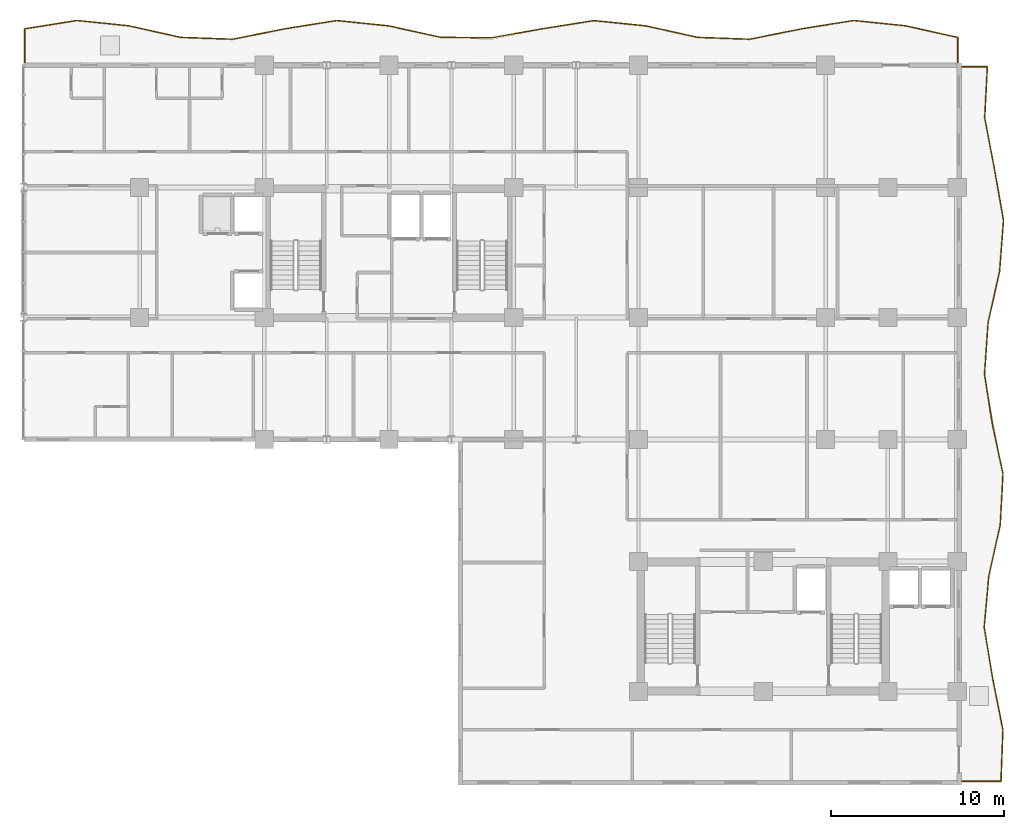
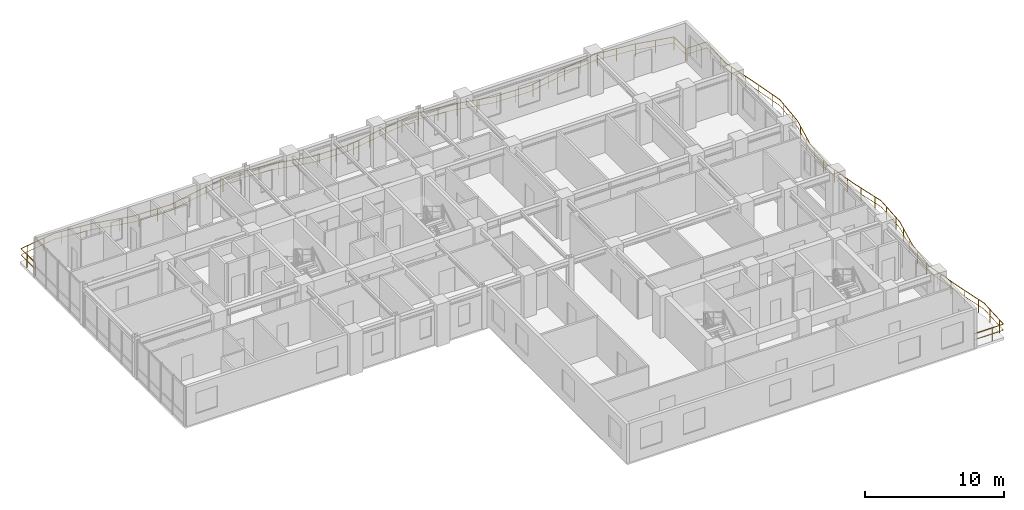
# One storey, part 19 of 20: 2 railings.
"""IFC4 building model written with IfcOpenShell, lengths in metres."""

from ifc_helpers import new_model, si_unit, direction, frame, origin, origin_2d, place, context, subcontext, project, spatial, rectangle, extrude, material, type_object, element, save


model = new_model("IFC4")

# Units and contexts
model_context = context("Model", 3, precision=1e-05, world=origin(), true_north=direction((0.0, 1.0)))
body_context = subcontext(model_context, "Body", "Model", "MODEL_VIEW")
ifc_project = project(units=[si_unit("LENGTHUNIT", "METRE"), si_unit("AREAUNIT", "SQUARE_METRE"), si_unit("VOLUMEUNIT", "CUBIC_METRE"), si_unit("PLANEANGLEUNIT", "RADIAN"), si_unit("MASSUNIT", "GRAM", prefix="KILO")], contexts=[model_context])

# Site, building, storey
site_placement = place(None, origin())
site = spatial("IfcSite", under=ifc_project, at=site_placement, CompositionType="ELEMENT")
building_placement = place(site_placement, origin())
building = spatial("IfcBuilding", under=site, at=building_placement, Name="Kaliganga Portal Commons", CompositionType="ELEMENT")
storey_placement = place(building_placement, frame((0.0, 0.0, 155.0)))
storey = spatial("IfcBuildingStorey", under=building, at=storey_placement, Name="L39", CompositionType="ELEMENT", Elevation=155.0)

# Railings
ifc_material = material(Name="Laminated Safety Glass and Stainless Steel 316", Category="steel")
railing_type = type_object("IfcRailingType", Name="RLG-BAL-1150", PredefinedType="BALUSTRADE", material=ifc_material)
railing_1_placement = place(storey_placement, frame((54.420166015625, 43.20556640625, 0.0)))
element("IfcRailing", 1, at=railing_1_placement, inside=storey, type_object=railing_type, Name="Balcony Guardrail L39 balc_north", PredefinedType="BALUSTRADE", context=body_context, shape_type="SweptSolid", body=[
    extrude(rectangle(XDim=0.048095703125, YDim=0.048095703125, at=origin_2d()), frame((0.0, 0.0, 1.1259765625), z_axis=(-0.000151883352, 0.999999988466, 0.0), x_axis=(-0.999999988466, -0.000151883352, 0.0)), (0.0, 0.0, 1.0), 1.607421875),
    extrude(rectangle(XDim=0.028076171875, YDim=0.028076171875, at=origin_2d()), frame((0.0, 0.0, 0.597900390625), z_axis=(-0.000151883352, 0.999999988466, 0.0), x_axis=(-0.999999988466, -0.000151883352, 0.0)), (0.0, 0.0, 1.0), 1.607421875),
    extrude(rectangle(XDim=0.048095703125, YDim=0.048095703125, at=origin_2d()), frame((-0.000244140625, 1.607421875, 1.1259765625), z_axis=(-0.975979173435, 0.217863840554, 0.0), x_axis=(-0.217863840554, -0.975979173435, 0.0)), (0.0, 0.0, 1.0), 3.07373046875),
    extrude(rectangle(XDim=0.028076171875, YDim=0.028076171875, at=origin_2d()), frame((-0.000244140625, 1.607421875, 0.597900390625), z_axis=(-0.975979173435, 0.217863840554, 0.0), x_axis=(-0.217863840554, -0.975979173435, 0.0)), (0.0, 0.0, 1.0), 3.07373046875),
    extrude(rectangle(XDim=0.048095703125, YDim=0.048095703125, at=origin_2d()), frame((-3.000244140625, 2.277099609375, 1.1259765625), z_axis=(-0.99479217812, 0.101924100932, 0.0), x_axis=(-0.101924100932, -0.99479217812, 0.0)), (0.0, 0.0, 1.0), 3.015625),
    extrude(rectangle(XDim=0.028076171875, YDim=0.028076171875, at=origin_2d()), frame((-3.000244140625, 2.277099609375, 0.597900390625), z_axis=(-0.99479217812, 0.101924100932, 0.0), x_axis=(-0.101924100932, -0.99479217812, 0.0)), (0.0, 0.0, 1.0), 3.015625),
    extrude(rectangle(XDim=0.048095703125, YDim=0.048095703125, at=origin_2d()), frame((-6.000244140625, 2.58447265625, 1.1259765625), z_axis=(-0.98747921595, -0.157749161858, 0.0), x_axis=(0.157749161858, -0.98747921595, 0.0)), (0.0, 0.0, 1.0), 3.0380859375),
    extrude(rectangle(XDim=0.028076171875, YDim=0.028076171875, at=origin_2d()), frame((-6.000244140625, 2.58447265625, 0.597900390625), z_axis=(-0.98747921595, -0.157749161858, 0.0), x_axis=(0.157749161858, -0.98747921595, 0.0)), (0.0, 0.0, 1.0), 3.0380859375),
    extrude(rectangle(XDim=0.048095703125, YDim=0.048095703125, at=origin_2d()), frame((-9.000244140625, 2.105224609375, 1.1259765625), z_axis=(-0.980405371108, -0.196990629986, 0.0), x_axis=(0.196990629986, -0.980405371108, 0.0)), (0.0, 0.0, 1.0), 3.06005859375),
    extrude(rectangle(XDim=0.028076171875, YDim=0.028076171875, at=origin_2d()), frame((-9.000244140625, 2.105224609375, 0.597900390625), z_axis=(-0.980405371108, -0.196990629986, 0.0), x_axis=(0.196990629986, -0.980405371108, 0.0)), (0.0, 0.0, 1.0), 3.06005859375),
    extrude(rectangle(XDim=0.048095703125, YDim=0.048095703125, at=origin_2d()), frame((-12.000244140625, 1.50244140625, 1.1259765625), z_axis=(-0.999376866679, 0.035297001964, 0.0), x_axis=(-0.035297001964, -0.999376866679, 0.0)), (0.0, 0.0, 1.0), 3.001953125),
    extrude(rectangle(XDim=0.028076171875, YDim=0.028076171875, at=origin_2d()), frame((-12.000244140625, 1.50244140625, 0.597900390625), z_axis=(-0.999376866679, 0.035297001964, 0.0), x_axis=(-0.035297001964, -0.999376866679, 0.0)), (0.0, 0.0, 1.0), 3.001953125),
    extrude(rectangle(XDim=0.048095703125, YDim=0.048095703125, at=origin_2d()), frame((-15.000244140625, 1.6083984375, 1.1259765625), z_axis=(-0.97621135664, 0.216821094838, 0.0), x_axis=(-0.216821094838, -0.97621135664, 0.0)), (0.0, 0.0, 1.0), 3.07275390625),
    extrude(rectangle(XDim=0.028076171875, YDim=0.028076171875, at=origin_2d()), frame((-15.000244140625, 1.6083984375, 0.597900390625), z_axis=(-0.97621135664, 0.216821094838, 0.0), x_axis=(-0.216821094838, -0.97621135664, 0.0)), (0.0, 0.0, 1.0), 3.07275390625),
    extrude(rectangle(XDim=0.048095703125, YDim=0.048095703125, at=origin_2d()), frame((-18.0, 2.274658203125, 1.1259765625), z_axis=(-0.994937270813, 0.10049789623, 0.0), x_axis=(-0.10049789623, -0.994937270813, 0.0)), (0.0, 0.0, 1.0), 3.014892578125),
    extrude(rectangle(XDim=0.028076171875, YDim=0.028076171875, at=origin_2d()), frame((-18.0, 2.274658203125, 0.597900390625), z_axis=(-0.994937270813, 0.10049789623, 0.0), x_axis=(-0.10049789623, -0.994937270813, 0.0)), (0.0, 0.0, 1.0), 3.014892578125),
    extrude(rectangle(XDim=0.048095703125, YDim=0.048095703125, at=origin_2d()), frame((-20.99951171875, 2.57763671875, 1.1259765625), z_axis=(-0.987543722899, -0.157344829476, 0.0), x_axis=(0.157344829476, -0.987543722899, 0.0)), (0.0, 0.0, 1.0), 3.0380859375),
    extrude(rectangle(XDim=0.028076171875, YDim=0.028076171875, at=origin_2d()), frame((-20.99951171875, 2.57763671875, 0.597900390625), z_axis=(-0.987543722899, -0.157344829476, 0.0), x_axis=(0.157344829476, -0.987543722899, 0.0)), (0.0, 0.0, 1.0), 3.0380859375),
    extrude(rectangle(XDim=0.048095703125, YDim=0.048095703125, at=origin_2d()), frame((-23.999755859375, 2.099609375, 1.1259765625), z_axis=(-0.984556518379, -0.175067021785, 0.0), x_axis=(0.175067021785, -0.984556518379, 0.0)), (0.0, 0.0, 1.0), 2.96630859375),
    extrude(rectangle(XDim=0.028076171875, YDim=0.028076171875, at=origin_2d()), frame((-23.999755859375, 2.099609375, 0.597900390625), z_axis=(-0.984556518379, -0.175067021785, 0.0), x_axis=(0.175067021785, -0.984556518379, 0.0)), (0.0, 0.0, 1.0), 2.96630859375),
    extrude(rectangle(XDim=0.048095703125, YDim=0.048095703125, at=origin_2d()), frame((-26.920166015625, 1.580322265625, 1.1259765625), z_axis=(-0.99993632214, 0.011285019519, 0.0), x_axis=(-0.011285019519, -0.99993632214, 0.0)), (0.0, 0.0, 1.0), 2.920654296875),
    extrude(rectangle(XDim=0.028076171875, YDim=0.028076171875, at=origin_2d()), frame((-26.920166015625, 1.580322265625, 0.597900390625), z_axis=(-0.99993632214, 0.011285019519, 0.0), x_axis=(-0.011285019519, -0.99993632214, 0.0)), (0.0, 0.0, 1.0), 2.920654296875),
    extrude(rectangle(XDim=0.048095703125, YDim=0.048095703125, at=origin_2d()), frame((-29.840576171875, 1.61328125, 1.1259765625), z_axis=(-0.976663478024, 0.214775349363, 0.0), x_axis=(-0.214775349363, -0.976663478024, 0.0)), (0.0, 0.0, 1.0), 3.071533203125),
    extrude(rectangle(XDim=0.028076171875, YDim=0.028076171875, at=origin_2d()), frame((-29.840576171875, 1.61328125, 0.597900390625), z_axis=(-0.976663478024, 0.214775349363, 0.0), x_axis=(-0.214775349363, -0.976663478024, 0.0)), (0.0, 0.0, 1.0), 3.071533203125),
    extrude(rectangle(XDim=0.048095703125, YDim=0.048095703125, at=origin_2d()), frame((-32.84033203125, 2.27294921875, 1.1259765625), z_axis=(-0.994776592164, 0.102076107309, 0.0), x_axis=(-0.102076107309, -0.994776592164, 0.0)), (0.0, 0.0, 1.0), 3.01611328125),
    extrude(rectangle(XDim=0.028076171875, YDim=0.028076171875, at=origin_2d()), frame((-32.84033203125, 2.27294921875, 0.597900390625), z_axis=(-0.994776592164, 0.102076107309, 0.0), x_axis=(-0.102076107309, -0.994776592164, 0.0)), (0.0, 0.0, 1.0), 3.01611328125),
    extrude(rectangle(XDim=0.048095703125, YDim=0.048095703125, at=origin_2d()), frame((-35.840576171875, 2.580810546875, 1.1259765625), z_axis=(-0.987637503988, -0.156755097898, 0.0), x_axis=(0.156755097898, -0.987637503988, 0.0)), (0.0, 0.0, 1.0), 3.037109375),
    extrude(rectangle(XDim=0.028076171875, YDim=0.028076171875, at=origin_2d()), frame((-35.840576171875, 2.580810546875, 0.597900390625), z_axis=(-0.987637503988, -0.156755097898, 0.0), x_axis=(0.156755097898, -0.987637503988, 0.0)), (0.0, 0.0, 1.0), 3.037109375),
    extrude(rectangle(XDim=0.048095703125, YDim=0.048095703125, at=origin_2d()), frame((-38.840087890625, 2.104736328125, 1.1259765625), z_axis=(-0.980436178169, -0.196837243778, 0.0), x_axis=(0.196837243778, -0.980436178169, 0.0)), (0.0, 0.0, 1.0), 3.059814453125),
    extrude(rectangle(XDim=0.028076171875, YDim=0.028076171875, at=origin_2d()), frame((-38.840087890625, 2.104736328125, 0.597900390625), z_axis=(-0.980436178169, -0.196837243778, 0.0), x_axis=(0.196837243778, -0.980436178169, 0.0)), (0.0, 0.0, 1.0), 3.059814453125),
    extrude(rectangle(XDim=0.048095703125, YDim=0.048095703125, at=origin_2d()), frame((-41.840087890625, 1.50244140625, 1.1259765625), z_axis=(-0.999382591304, 0.035134544226, 0.0), x_axis=(-0.035134544226, -0.999382591304, 0.0)), (0.0, 0.0, 1.0), 3.001953125),
    extrude(rectangle(XDim=0.028076171875, YDim=0.028076171875, at=origin_2d()), frame((-41.840087890625, 1.50244140625, 0.597900390625), z_axis=(-0.999382591304, 0.035134544226, 0.0), x_axis=(-0.035134544226, -0.999382591304, 0.0)), (0.0, 0.0, 1.0), 3.001953125),
    extrude(rectangle(XDim=0.048095703125, YDim=0.048095703125, at=origin_2d()), frame((-44.840087890625, 1.60791015625, 1.1259765625), z_axis=(-0.976029814467, 0.217636856416, 0.0), x_axis=(-0.217636856416, -0.976029814467, 0.0)), (0.0, 0.0, 1.0), 3.07373046875),
    extrude(rectangle(XDim=0.028076171875, YDim=0.028076171875, at=origin_2d()), frame((-44.840087890625, 1.60791015625, 0.597900390625), z_axis=(-0.976029814467, 0.217636856416, 0.0), x_axis=(-0.217636856416, -0.976029814467, 0.0)), (0.0, 0.0, 1.0), 3.07373046875),
    extrude(rectangle(XDim=0.048095703125, YDim=0.048095703125, at=origin_2d()), frame((-47.840087890625, 2.27685546875, 1.1259765625), z_axis=(-0.994775748616, 0.102084327718, 0.0), x_axis=(-0.102084327718, -0.994775748616, 0.0)), (0.0, 0.0, 1.0), 3.015869140625),
    extrude(rectangle(XDim=0.028076171875, YDim=0.028076171875, at=origin_2d()), frame((-47.840087890625, 2.27685546875, 0.597900390625), z_axis=(-0.994775748616, 0.102084327718, 0.0), x_axis=(-0.102084327718, -0.994775748616, 0.0)), (0.0, 0.0, 1.0), 3.015869140625),
    extrude(rectangle(XDim=0.048095703125, YDim=0.048095703125, at=origin_2d()), frame((-50.840087890625, 2.584716796875, 1.1259765625), z_axis=(-0.987491731196, -0.157670798878, 0.0), x_axis=(0.157670798878, -0.987491731196, 0.0)), (0.0, 0.0, 1.0), 3.0380859375),
    extrude(rectangle(XDim=0.028076171875, YDim=0.028076171875, at=origin_2d()), frame((-50.840087890625, 2.584716796875, 0.597900390625), z_axis=(-0.987491731196, -0.157670798878, 0.0), x_axis=(0.157670798878, -0.987491731196, 0.0)), (0.0, 0.0, 1.0), 3.0380859375),
    extrude(rectangle(XDim=0.048095703125, YDim=0.048095703125, at=origin_2d()), frame((-53.840087890625, 2.105712890625, 1.1259765625), z_axis=(-0.000115942028, -0.999999993279, 0.0), x_axis=(0.999999993279, -0.000115942028, 0.0)), (0.0, 0.0, 1.0), 2.105712890625),
    extrude(rectangle(XDim=0.028076171875, YDim=0.028076171875, at=origin_2d()), frame((-53.840087890625, 2.105712890625, 0.597900390625), z_axis=(-0.000115942028, -0.999999993279, 0.0), x_axis=(0.999999993279, -0.000115942028, 0.0)), (0.0, 0.0, 1.0), 2.105712890625),
    extrude(rectangle(XDim=0.0419921875, YDim=0.0419921875, at=origin_2d()), origin(), (0.0, 0.0, 1.0), 1.101806640625),
    extrude(rectangle(XDim=0.0419921875, YDim=0.0419921875, at=origin_2d()), frame((-0.000244140625, 1.607421875, 0.0)), (0.0, 0.0, 1.0), 1.101806640625),
    extrude(rectangle(XDim=0.0419921875, YDim=0.0419921875, at=origin_2d()), frame((-1.359375, 1.910888671875, 0.0)), (0.0, 0.0, 1.0), 1.101806640625),
    extrude(rectangle(XDim=0.0419921875, YDim=0.0419921875, at=origin_2d()), frame((-2.8232421875, 2.237548828125, 0.0)), (0.0, 0.0, 1.0), 1.101806640625),
    extrude(rectangle(XDim=0.0419921875, YDim=0.0419921875, at=origin_2d()), frame((-4.31201171875, 2.41162109375, 0.0)), (0.0, 0.0, 1.0), 1.101806640625),
    extrude(rectangle(XDim=0.0419921875, YDim=0.0419921875, at=origin_2d()), frame((-5.80419921875, 2.564453125, 0.0)), (0.0, 0.0, 1.0), 1.101806640625),
    extrude(rectangle(XDim=0.0419921875, YDim=0.0419921875, at=origin_2d()), frame((-7.286865234375, 2.37890625, 0.0)), (0.0, 0.0, 1.0), 1.101806640625),
    extrude(rectangle(XDim=0.0419921875, YDim=0.0419921875, at=origin_2d()), frame((-8.76806640625, 2.142333984375, 0.0)), (0.0, 0.0, 1.0), 1.101806640625),
    extrude(rectangle(XDim=0.0419921875, YDim=0.0419921875, at=origin_2d()), frame((-10.240478515625, 1.85595703125, 0.0)), (0.0, 0.0, 1.0), 1.101806640625),
    extrude(rectangle(XDim=0.0419921875, YDim=0.0419921875, at=origin_2d()), frame((-11.711181640625, 1.560546875, 0.0)), (0.0, 0.0, 1.0), 1.101806640625),
    extrude(rectangle(XDim=0.0419921875, YDim=0.0419921875, at=origin_2d()), frame((-13.20458984375, 1.544921875, 0.0)), (0.0, 0.0, 1.0), 1.101806640625),
    extrude(rectangle(XDim=0.0419921875, YDim=0.0419921875, at=origin_2d()), frame((-14.70361328125, 1.597900390625, 0.0)), (0.0, 0.0, 1.0), 1.101806640625),
    extrude(rectangle(XDim=0.0419921875, YDim=0.0419921875, at=origin_2d()), frame((-16.1748046875, 1.869384765625, 0.0)), (0.0, 0.0, 1.0), 1.101806640625),
    extrude(rectangle(XDim=0.0419921875, YDim=0.0419921875, at=origin_2d()), frame((-17.63916015625, 2.194580078125, 0.0)), (0.0, 0.0, 1.0), 1.101806640625),
    extrude(rectangle(XDim=0.0419921875, YDim=0.0419921875, at=origin_2d()), frame((-19.12451171875, 2.38818359375, 0.0)), (0.0, 0.0, 1.0), 1.101806640625),
    extrude(rectangle(XDim=0.0419921875, YDim=0.0419921875, at=origin_2d()), frame((-20.616943359375, 2.5390625, 0.0)), (0.0, 0.0, 1.0), 1.101806640625),
    extrude(rectangle(XDim=0.0419921875, YDim=0.0419921875, at=origin_2d()), frame((-22.10107421875, 2.402099609375, 0.0)), (0.0, 0.0, 1.0), 1.101806640625),
    extrude(rectangle(XDim=0.0419921875, YDim=0.0419921875, at=origin_2d()), frame((-23.58251953125, 2.166015625, 0.0)), (0.0, 0.0, 1.0), 1.101806640625),
    extrude(rectangle(XDim=0.0419921875, YDim=0.0419921875, at=origin_2d()), frame((-25.060546875, 1.910888671875, 0.0)), (0.0, 0.0, 1.0), 1.101806640625),
    extrude(rectangle(XDim=0.0419921875, YDim=0.0419921875, at=origin_2d()), frame((-26.537353515625, 1.6484375, 0.0)), (0.0, 0.0, 1.0), 1.101806640625),
    extrude(rectangle(XDim=0.0419921875, YDim=0.0419921875, at=origin_2d()), frame((-28.03125, 1.5927734375, 0.0)), (0.0, 0.0, 1.0), 1.101806640625),
    extrude(rectangle(XDim=0.0419921875, YDim=0.0419921875, at=origin_2d()), frame((-29.53125, 1.60986328125, 0.0)), (0.0, 0.0, 1.0), 1.101806640625),
    extrude(rectangle(XDim=0.0419921875, YDim=0.0419921875, at=origin_2d()), frame((-31.00341796875, 1.868896484375, 0.0)), (0.0, 0.0, 1.0), 1.101806640625),
    extrude(rectangle(XDim=0.0419921875, YDim=0.0419921875, at=origin_2d()), frame((-32.468505859375, 2.191162109375, 0.0)), (0.0, 0.0, 1.0), 1.101806640625),
    extrude(rectangle(XDim=0.0419921875, YDim=0.0419921875, at=origin_2d()), frame((-33.95361328125, 2.38720703125, 0.0)), (0.0, 0.0, 1.0), 1.101806640625),
    extrude(rectangle(XDim=0.0419921875, YDim=0.0419921875, at=origin_2d()), frame((-35.44580078125, 2.540283203125, 0.0)), (0.0, 0.0, 1.0), 1.101806640625),
    extrude(rectangle(XDim=0.0419921875, YDim=0.0419921875, at=origin_2d()), frame((-36.93017578125, 2.407958984375, 0.0)), (0.0, 0.0, 1.0), 1.101806640625),
    extrude(rectangle(XDim=0.0419921875, YDim=0.0419921875, at=origin_2d()), frame((-38.41162109375, 2.1728515625, 0.0)), (0.0, 0.0, 1.0), 1.101806640625),
    extrude(rectangle(XDim=0.0419921875, YDim=0.0419921875, at=origin_2d()), frame((-39.885498046875, 1.894775390625, 0.0)), (0.0, 0.0, 1.0), 1.101806640625),
    extrude(rectangle(XDim=0.0419921875, YDim=0.0419921875, at=origin_2d()), frame((-41.35595703125, 1.599609375, 0.0)), (0.0, 0.0, 1.0), 1.101806640625),
    extrude(rectangle(XDim=0.0419921875, YDim=0.0419921875, at=origin_2d()), frame((-42.845703125, 1.537841796875, 0.0)), (0.0, 0.0, 1.0), 1.101806640625),
    extrude(rectangle(XDim=0.0419921875, YDim=0.0419921875, at=origin_2d()), frame((-44.3447265625, 1.590576171875, 0.0)), (0.0, 0.0, 1.0), 1.101806640625),
    extrude(rectangle(XDim=0.0419921875, YDim=0.0419921875, at=origin_2d()), frame((-45.820556640625, 1.826416015625, 0.0)), (0.0, 0.0, 1.0), 1.101806640625),
    extrude(rectangle(XDim=0.0419921875, YDim=0.0419921875, at=origin_2d()), frame((-47.284423828125, 2.153076171875, 0.0)), (0.0, 0.0, 1.0), 1.101806640625),
    extrude(rectangle(XDim=0.0419921875, YDim=0.0419921875, at=origin_2d()), frame((-48.765869140625, 2.371826171875, 0.0)), (0.0, 0.0, 1.0), 1.101806640625),
    extrude(rectangle(XDim=0.0419921875, YDim=0.0419921875, at=origin_2d()), frame((-50.258056640625, 2.52490234375, 0.0)), (0.0, 0.0, 1.0), 1.101806640625),
    extrude(rectangle(XDim=0.0419921875, YDim=0.0419921875, at=origin_2d()), frame((-51.74365234375, 2.4404296875, 0.0)), (0.0, 0.0, 1.0), 1.101806640625),
    extrude(rectangle(XDim=0.0419921875, YDim=0.0419921875, at=origin_2d()), frame((-53.224853515625, 2.203857421875, 0.0)), (0.0, 0.0, 1.0), 1.101806640625),
    extrude(rectangle(XDim=0.0419921875, YDim=0.0419921875, at=origin_2d()), frame((-53.840087890625, 1.228759765625, 0.0)), (0.0, 0.0, 1.0), 1.101806640625),
    extrude(rectangle(XDim=0.0419921875, YDim=0.0419921875, at=origin_2d()), frame((-53.84033203125, 0.0, 0.0)), (0.0, 0.0, 1.0), 1.101806640625),
])
railing_2_placement = place(storey_placement, frame((54.5068359375, 1.879638671875, 0.0)))
element("IfcRailing", 2, at=railing_2_placement, inside=storey, type_object=railing_type, Name="Balcony Guardrail L39 balc_east", PredefinedType="BALUSTRADE", context=body_context, shape_type="SweptSolid", body=[
    extrude(rectangle(XDim=0.048095703125, YDim=0.048095703125, at=origin_2d()), frame((0.0, 0.0, 1.1259765625), z_axis=(0.999999994916, 0.000100836946, 0.0), x_axis=(-0.000100836946, 0.999999994916, 0.0)), (0.0, 0.0, 1.0), 2.421142578125),
    extrude(rectangle(XDim=0.028076171875, YDim=0.028076171875, at=origin_2d()), frame((0.0, 0.0, 0.597900390625), z_axis=(0.999999994916, 0.000100836946, 0.0), x_axis=(-0.000100836946, 0.999999994916, 0.0)), (0.0, 0.0, 1.0), 2.421142578125),
    extrude(rectangle(XDim=0.048095703125, YDim=0.048095703125, at=origin_2d()), frame((2.421142578125, 0.000244140625, 1.1259765625), z_axis=(0.037210012214, 0.999307467695, 0.0), x_axis=(-0.999307467695, 0.037210012214, 0.0)), (0.0, 0.0, 1.0), 2.958984375),
    extrude(rectangle(XDim=0.028076171875, YDim=0.028076171875, at=origin_2d()), frame((2.421142578125, 0.000244140625, 0.597900390625), z_axis=(0.037210012214, 0.999307467695, 0.0), x_axis=(-0.999307467695, 0.037210012214, 0.0)), (0.0, 0.0, 1.0), 2.958984375),
    extrude(rectangle(XDim=0.048095703125, YDim=0.048095703125, at=origin_2d()), frame((2.53125, 2.957275390625, 1.1259765625), z_axis=(-0.194823494829, 0.980838317901, 0.0), x_axis=(-0.980838317901, -0.194823494829, 0.0)), (0.0, 0.0, 1.0), 3.01513671875),
    extrude(rectangle(XDim=0.028076171875, YDim=0.028076171875, at=origin_2d()), frame((2.53125, 2.957275390625, 0.597900390625), z_axis=(-0.194823494829, 0.980838317901, 0.0), x_axis=(-0.980838317901, -0.194823494829, 0.0)), (0.0, 0.0, 1.0), 3.01513671875),
    extrude(rectangle(XDim=0.048095703125, YDim=0.048095703125, at=origin_2d()), frame((1.94384765625, 5.91455078125, 1.1259765625), z_axis=(-0.164332959712, 0.98640492616, 0.0), x_axis=(-0.98640492616, -0.164332959712, 0.0)), (0.0, 0.0, 1.0), 2.998046875),
    extrude(rectangle(XDim=0.028076171875, YDim=0.028076171875, at=origin_2d()), frame((1.94384765625, 5.91455078125, 0.597900390625), z_axis=(-0.164332959712, 0.98640492616, 0.0), x_axis=(-0.98640492616, -0.164332959712, 0.0)), (0.0, 0.0, 1.0), 2.998046875),
    extrude(rectangle(XDim=0.048095703125, YDim=0.048095703125, at=origin_2d()), frame((1.451171875, 8.871826171875, 1.1259765625), z_axis=(0.089223302323, 0.996011647684, 0.0), x_axis=(-0.996011647684, 0.089223302323, 0.0)), (0.0, 0.0, 1.0), 2.968994140625),
    extrude(rectangle(XDim=0.028076171875, YDim=0.028076171875, at=origin_2d()), frame((1.451171875, 8.871826171875, 0.597900390625), z_axis=(0.089223302323, 0.996011647684, 0.0), x_axis=(-0.996011647684, 0.089223302323, 0.0)), (0.0, 0.0, 1.0), 2.968994140625),
    extrude(rectangle(XDim=0.048095703125, YDim=0.048095703125, at=origin_2d()), frame((1.716064453125, 11.828857421875, 1.1259765625), z_axis=(0.218210068038, 0.975901822012, 0.0), x_axis=(-0.975901822012, 0.218210068038, 0.0)), (0.0, 0.0, 1.0), 3.02978515625),
    extrude(rectangle(XDim=0.028076171875, YDim=0.028076171875, at=origin_2d()), frame((1.716064453125, 11.828857421875, 0.597900390625), z_axis=(0.218210068038, 0.975901822012, 0.0), x_axis=(-0.975901822012, 0.218210068038, 0.0)), (0.0, 0.0, 1.0), 3.02978515625),
    extrude(rectangle(XDim=0.048095703125, YDim=0.048095703125, at=origin_2d()), frame((2.377197265625, 14.78564453125, 1.1259765625), z_axis=(0.053294936754, 0.998578814975, 0.0), x_axis=(-0.998578814975, 0.053294936754, 0.0)), (0.0, 0.0, 1.0), 2.959228515625),
    extrude(rectangle(XDim=0.028076171875, YDim=0.028076171875, at=origin_2d()), frame((2.377197265625, 14.78564453125, 0.597900390625), z_axis=(0.053294936754, 0.998578814975, 0.0), x_axis=(-0.998578814975, 0.053294936754, 0.0)), (0.0, 0.0, 1.0), 2.959228515625),
    extrude(rectangle(XDim=0.048095703125, YDim=0.048095703125, at=origin_2d()), frame((2.534912109375, 17.74072265625, 1.1259765625), z_axis=(-0.209964957533, 0.977708912002, 0.0), x_axis=(-0.977708912002, -0.209964957533, 0.0)), (0.0, 0.0, 1.0), 2.9453125),
    extrude(rectangle(XDim=0.028076171875, YDim=0.028076171875, at=origin_2d()), frame((2.534912109375, 17.74072265625, 0.597900390625), z_axis=(-0.209964957533, 0.977708912002, 0.0), x_axis=(-0.977708912002, -0.209964957533, 0.0)), (0.0, 0.0, 1.0), 2.9453125),
    extrude(rectangle(XDim=0.048095703125, YDim=0.048095703125, at=origin_2d()), frame((1.91650390625, 20.620361328125, 1.1259765625), z_axis=(-0.153184873644, 0.98819754831, 0.0), x_axis=(-0.98819754831, -0.153184873644, 0.0)), (0.0, 0.0, 1.0), 2.911865234375),
    extrude(rectangle(XDim=0.028076171875, YDim=0.028076171875, at=origin_2d()), frame((1.91650390625, 20.620361328125, 0.597900390625), z_axis=(-0.153184873644, 0.98819754831, 0.0), x_axis=(-0.98819754831, -0.153184873644, 0.0)), (0.0, 0.0, 1.0), 2.911865234375),
    extrude(rectangle(XDim=0.048095703125, YDim=0.048095703125, at=origin_2d()), frame((1.470458984375, 23.497802734375, 1.1259765625), z_axis=(0.068618330951, 0.997642984568, 0.0), x_axis=(-0.997642984568, 0.068618330951, 0.0)), (0.0, 0.0, 1.0), 2.9638671875),
    extrude(rectangle(XDim=0.028076171875, YDim=0.028076171875, at=origin_2d()), frame((1.470458984375, 23.497802734375, 0.597900390625), z_axis=(0.068618330951, 0.997642984568, 0.0), x_axis=(-0.997642984568, 0.068618330951, 0.0)), (0.0, 0.0, 1.0), 2.9638671875),
    extrude(rectangle(XDim=0.048095703125, YDim=0.048095703125, at=origin_2d()), frame((1.673828125, 26.45458984375, 1.1259765625), z_axis=(0.219402948514, 0.975634330158, 0.0), x_axis=(-0.975634330158, 0.219402948514, 0.0)), (0.0, 0.0, 1.0), 3.03125),
    extrude(rectangle(XDim=0.028076171875, YDim=0.028076171875, at=origin_2d()), frame((1.673828125, 26.45458984375, 0.597900390625), z_axis=(0.219402948514, 0.975634330158, 0.0), x_axis=(-0.975634330158, 0.219402948514, 0.0)), (0.0, 0.0, 1.0), 3.03125),
    extrude(rectangle(XDim=0.048095703125, YDim=0.048095703125, at=origin_2d()), frame((2.3388671875, 29.411865234375, 1.1259765625), z_axis=(0.076633553373, 0.997059325465, 0.0), x_axis=(-0.997059325465, 0.076633553373, 0.0)), (0.0, 0.0, 1.0), 2.966064453125),
    extrude(rectangle(XDim=0.028076171875, YDim=0.028076171875, at=origin_2d()), frame((2.3388671875, 29.411865234375, 0.597900390625), z_axis=(0.076633553373, 0.997059325465, 0.0), x_axis=(-0.997059325465, 0.076633553373, 0.0)), (0.0, 0.0, 1.0), 2.966064453125),
    extrude(rectangle(XDim=0.048095703125, YDim=0.048095703125, at=origin_2d()), frame((2.566162109375, 32.369140625, 1.1259765625), z_axis=(-0.172964176253, 0.984928116023, 0.0), x_axis=(-0.984928116023, -0.172964176253, 0.0)), (0.0, 0.0, 1.0), 3.002197265625),
    extrude(rectangle(XDim=0.028076171875, YDim=0.028076171875, at=origin_2d()), frame((2.566162109375, 32.369140625, 0.597900390625), z_axis=(-0.172964176253, 0.984928116023, 0.0), x_axis=(-0.984928116023, -0.172964176253, 0.0)), (0.0, 0.0, 1.0), 3.002197265625),
    extrude(rectangle(XDim=0.048095703125, YDim=0.048095703125, at=origin_2d()), frame((2.046875, 35.326171875, 1.1259765625), z_axis=(-0.187969082258, 0.982174945778, 0.0), x_axis=(-0.982174945778, -0.187969082258, 0.0)), (0.0, 0.0, 1.0), 3.0107421875),
    extrude(rectangle(XDim=0.028076171875, YDim=0.028076171875, at=origin_2d()), frame((2.046875, 35.326171875, 0.597900390625), z_axis=(-0.187969082258, 0.982174945778, 0.0), x_axis=(-0.982174945778, -0.187969082258, 0.0)), (0.0, 0.0, 1.0), 3.0107421875),
    extrude(rectangle(XDim=0.048095703125, YDim=0.048095703125, at=origin_2d()), frame((1.48095703125, 38.283203125, 1.1259765625), z_axis=(0.051199992486, 0.998688420264, 0.0), x_axis=(-0.998688420264, 0.051199992486, 0.0)), (0.0, 0.0, 1.0), 2.961181640625),
    extrude(rectangle(XDim=0.028076171875, YDim=0.028076171875, at=origin_2d()), frame((1.48095703125, 38.283203125, 0.597900390625), z_axis=(0.051199992486, 0.998688420264, 0.0), x_axis=(-0.998688420264, 0.051199992486, 0.0)), (0.0, 0.0, 1.0), 2.961181640625),
    extrude(rectangle(XDim=0.048095703125, YDim=0.048095703125, at=origin_2d()), frame((1.632568359375, 41.240478515625, 1.1259765625), z_axis=(-0.999999988818, 0.000149543889, 0.0), x_axis=(-0.000149543889, -0.999999988818, 0.0)), (0.0, 0.0, 1.0), 1.632568359375),
    extrude(rectangle(XDim=0.028076171875, YDim=0.028076171875, at=origin_2d()), frame((1.632568359375, 41.240478515625, 0.597900390625), z_axis=(-0.999999988818, 0.000149543889, 0.0), x_axis=(-0.000149543889, -0.999999988818, 0.0)), (0.0, 0.0, 1.0), 1.632568359375),
    extrude(rectangle(XDim=0.0419921875, YDim=0.0419921875, at=origin_2d()), origin(), (0.0, 0.0, 1.0), 1.101806640625),
    extrude(rectangle(XDim=0.0419921875, YDim=0.0419921875, at=origin_2d()), frame((1.5, 0.000244140625, 0.0)), (0.0, 0.0, 1.0), 1.101806640625),
    extrude(rectangle(XDim=0.0419921875, YDim=0.0419921875, at=origin_2d()), frame((2.442626953125, 0.57861328125, 0.0)), (0.0, 0.0, 1.0), 1.101806640625),
    extrude(rectangle(XDim=0.0419921875, YDim=0.0419921875, at=origin_2d()), frame((2.49853515625, 2.07763671875, 0.0)), (0.0, 0.0, 1.0), 1.101806640625),
    extrude(rectangle(XDim=0.0419921875, YDim=0.0419921875, at=origin_2d()), frame((2.410400390625, 3.565185546875, 0.0)), (0.0, 0.0, 1.0), 1.101806640625),
    extrude(rectangle(XDim=0.0419921875, YDim=0.0419921875, at=origin_2d()), frame((2.1181640625, 5.036376953125, 0.0)), (0.0, 0.0, 1.0), 1.101806640625),
    extrude(rectangle(XDim=0.0419921875, YDim=0.0419921875, at=origin_2d()), frame((1.844482421875, 6.510986328125, 0.0)), (0.0, 0.0, 1.0), 1.101806640625),
    extrude(rectangle(XDim=0.0419921875, YDim=0.0419921875, at=origin_2d()), frame((1.597900390625, 7.99072265625, 0.0)), (0.0, 0.0, 1.0), 1.101806640625),
    extrude(rectangle(XDim=0.0419921875, YDim=0.0419921875, at=origin_2d()), frame((1.50537109375, 9.47607421875, 0.0)), (0.0, 0.0, 1.0), 1.101806640625),
    extrude(rectangle(XDim=0.0419921875, YDim=0.0419921875, at=origin_2d()), frame((1.63916015625, 10.97021484375, 0.0)), (0.0, 0.0, 1.0), 1.101806640625),
    extrude(rectangle(XDim=0.0419921875, YDim=0.0419921875, at=origin_2d()), frame((1.855224609375, 12.451416015625, 0.0)), (0.0, 0.0, 1.0), 1.101806640625),
    extrude(rectangle(XDim=0.0419921875, YDim=0.0419921875, at=origin_2d()), frame((2.1826171875, 13.915283203125, 0.0)), (0.0, 0.0, 1.0), 1.101806640625),
    extrude(rectangle(XDim=0.0419921875, YDim=0.0419921875, at=origin_2d()), frame((2.40966796875, 15.392822265625, 0.0)), (0.0, 0.0, 1.0), 1.101806640625),
    extrude(rectangle(XDim=0.0419921875, YDim=0.0419921875, at=origin_2d()), frame((2.489501953125, 16.890625, 0.0)), (0.0, 0.0, 1.0), 1.101806640625),
    extrude(rectangle(XDim=0.0419921875, YDim=0.0419921875, at=origin_2d()), frame((2.398681640625, 18.375, 0.0)), (0.0, 0.0, 1.0), 1.101806640625),
    extrude(rectangle(XDim=0.0419921875, YDim=0.0419921875, at=origin_2d()), frame((2.083740234375, 19.841552734375, 0.0)), (0.0, 0.0, 1.0), 1.101806640625),
    extrude(rectangle(XDim=0.0419921875, YDim=0.0419921875, at=origin_2d()), frame((1.808837890625, 21.3154296875, 0.0)), (0.0, 0.0, 1.0), 1.101806640625),
    extrude(rectangle(XDim=0.0419921875, YDim=0.0419921875, at=origin_2d()), frame((1.578857421875, 22.7978515625, 0.0)), (0.0, 0.0, 1.0), 1.101806640625),
    extrude(rectangle(XDim=0.0419921875, YDim=0.0419921875, at=origin_2d()), frame((1.524658203125, 24.28759765625, 0.0)), (0.0, 0.0, 1.0), 1.101806640625),
    extrude(rectangle(XDim=0.0419921875, YDim=0.0419921875, at=origin_2d()), frame((1.627685546875, 25.783935546875, 0.0)), (0.0, 0.0, 1.0), 1.101806640625),
    extrude(rectangle(XDim=0.0419921875, YDim=0.0419921875, at=origin_2d()), frame((1.85546875, 27.26220703125, 0.0)), (0.0, 0.0, 1.0), 1.101806640625),
    extrude(rectangle(XDim=0.0419921875, YDim=0.0419921875, at=origin_2d()), frame((2.1845703125, 28.725830078125, 0.0)), (0.0, 0.0, 1.0), 1.101806640625),
    extrude(rectangle(XDim=0.0419921875, YDim=0.0419921875, at=origin_2d()), frame((2.39990234375, 30.206298828125, 0.0)), (0.0, 0.0, 1.0), 1.101806640625),
    extrude(rectangle(XDim=0.0419921875, YDim=0.0419921875, at=origin_2d()), frame((2.514892578125, 31.701904296875, 0.0)), (0.0, 0.0, 1.0), 1.101806640625),
    extrude(rectangle(XDim=0.0419921875, YDim=0.0419921875, at=origin_2d()), frame((2.42236328125, 33.187255859375, 0.0)), (0.0, 0.0, 1.0), 1.101806640625),
    extrude(rectangle(XDim=0.0419921875, YDim=0.0419921875, at=origin_2d()), frame((2.1630859375, 34.664794921875, 0.0)), (0.0, 0.0, 1.0), 1.101806640625),
    extrude(rectangle(XDim=0.0419921875, YDim=0.0419921875, at=origin_2d()), frame((1.89111328125, 36.139892578125, 0.0)), (0.0, 0.0, 1.0), 1.101806640625),
    extrude(rectangle(XDim=0.0419921875, YDim=0.0419921875, at=origin_2d()), frame((1.609130859375, 37.613037109375, 0.0)), (0.0, 0.0, 1.0), 1.101806640625),
    extrude(rectangle(XDim=0.0419921875, YDim=0.0419921875, at=origin_2d()), frame((1.522705078125, 39.099853515625, 0.0)), (0.0, 0.0, 1.0), 1.101806640625),
    extrude(rectangle(XDim=0.0419921875, YDim=0.0419921875, at=origin_2d()), frame((1.599609375, 40.597900390625, 0.0)), (0.0, 0.0, 1.0), 1.101806640625),
    extrude(rectangle(XDim=0.0419921875, YDim=0.0419921875, at=origin_2d()), frame((0.77587890625, 41.24072265625, 0.0)), (0.0, 0.0, 1.0), 1.101806640625),
    extrude(rectangle(XDim=0.0419921875, YDim=0.0419921875, at=origin_2d()), frame((0.0, 41.24072265625, 0.0)), (0.0, 0.0, 1.0), 1.101806640625),
])

save(model, "model.ifc")
